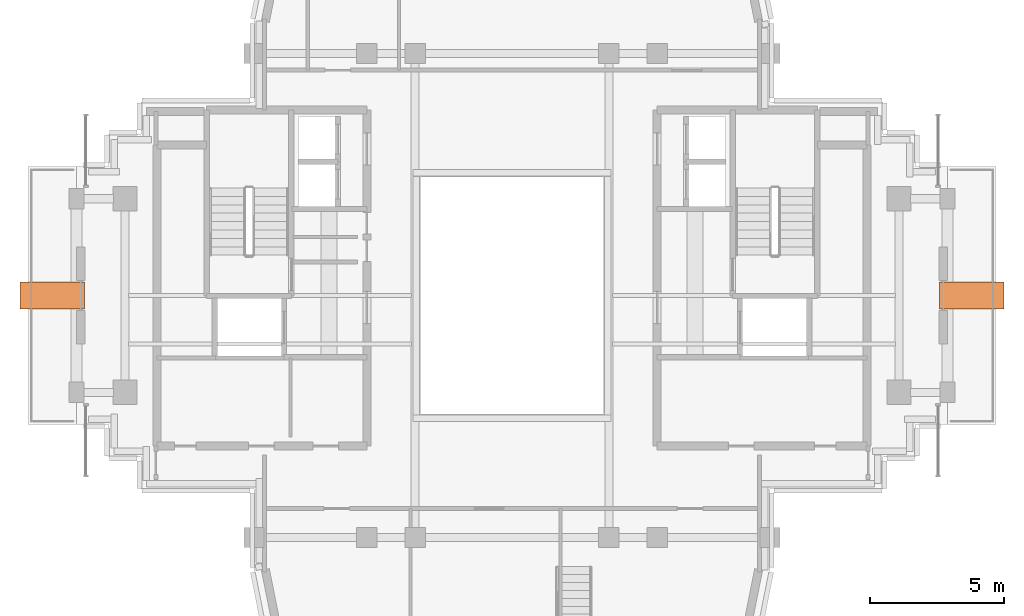
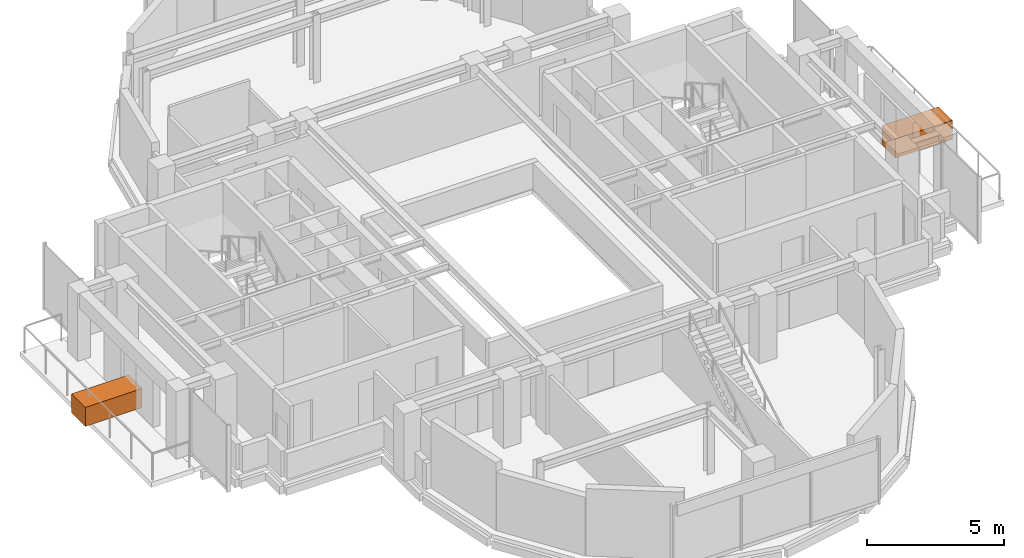
# One storey, part 12 of 12: 2 proxies.
"""IFC4 building model written with IfcOpenShell, lengths in metres."""

from ifc_helpers import new_model, si_unit, direction, frame, origin, origin_2d, place, context, subcontext, project, spatial, rectangle, extrude, source, transform, mapped, material, type_object, element, save


model = new_model("IFC4")

# Units and contexts
model_context = context("Model", 3, precision=1e-05, world=origin(), true_north=direction((0.0, 1.0)))
body_context = subcontext(model_context, "Body", "Model", "MODEL_VIEW")
ifc_project = project(units=[si_unit("LENGTHUNIT", "METRE"), si_unit("AREAUNIT", "SQUARE_METRE"), si_unit("VOLUMEUNIT", "CUBIC_METRE"), si_unit("PLANEANGLEUNIT", "RADIAN"), si_unit("MASSUNIT", "GRAM", prefix="KILO")], contexts=[model_context])

# Site, building, storey
site_placement = place(None, origin())
site = spatial("IfcSite", under=ifc_project, at=site_placement, CompositionType="ELEMENT")
building_placement = place(site_placement, origin())
building = spatial("IfcBuilding", under=site, at=building_placement, Name="Keilestroom Media Tower", CompositionType="ELEMENT")
storey_placement = place(building_placement, frame((0.0, 0.0, 252.39990234375)))
storey = spatial("IfcBuildingStorey", under=building, at=storey_placement, Name="L70", CompositionType="ELEMENT", Elevation=252.39990234375)

# Proxies
ifc_material = material(Name="Precast concrete C40/50", Category="concrete")
building_element_proxy_type = type_object("IfcBuildingElementProxyType", Name="Sky-Garden-Planter-Box-PRX-1", PredefinedType="USERDEFINED", material=ifc_material)
shared_shape = source(origin(), body_context, "Body", "SweptSolid", [
    extrude(rectangle(XDim=2.39990234375, YDim=1.0, at=origin_2d()), origin(), (0.0, 0.0, 1.0), 0.85009765625),
])
for number, where, z_axis, x_axis, name in (
    (1, (-17.10009765625, 0.0, 0.0), (0.0, 0.0, 1.0), (1.0, 0.0, 0.0), "L70 Sky-Garden Planter Box CUP70-W"),
    (2, (17.10009765625, 0.0, 0.0), (0.0, 0.0, 1.0), (1.0, 0.0, 0.0), "L70 Sky-Garden Planter Box CUP70-E"),
):
    element("IfcBuildingElementProxy", number, at=place(storey_placement, frame(where, z_axis=z_axis, x_axis=x_axis)), inside=storey, type_object=building_element_proxy_type, Name=name, ObjectType="PLANTER", PredefinedType="USERDEFINED", context=body_context, shape_type="MappedRepresentation", body=[
        mapped(shared_shape, transform((0.0, 0.0, 0.0), x_axis=(1.0, 0.0, 0.0), y_axis=(0.0, 1.0, 0.0), z_axis=(0.0, 0.0, 1.0), scale=1.0)),
    ])

save(model, "model.ifc")
